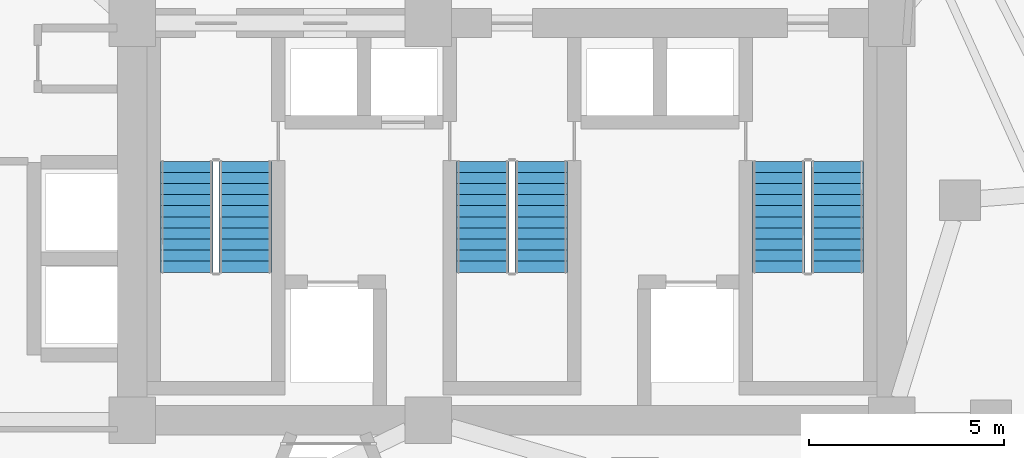
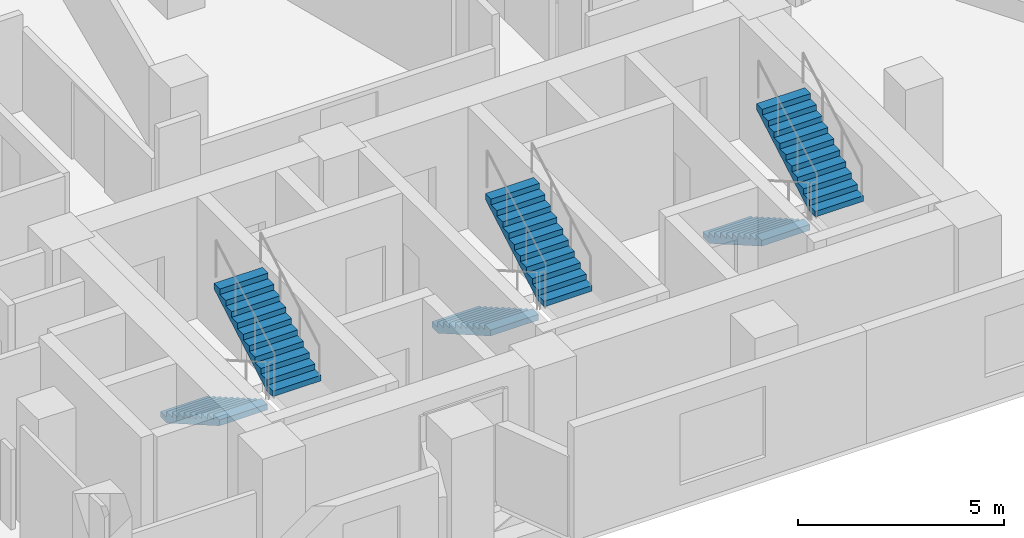
# One storey, part 9 of 11: 6 stair flights, 3 elements without a shape of their own.
"""IFC4 building model written with IfcOpenShell, lengths in metres."""

from ifc_helpers import new_model, si_unit, direction, frame, origin, place, context, subcontext, project, spatial, polyline, outline, extrude, material, type_object, element, aggregate, save


model = new_model("IFC4")

# Units and contexts
model_context = context("Model", 3, precision=1e-05, world=origin(), true_north=direction((0.0, 1.0)))
body_context = subcontext(model_context, "Body", "Model", "MODEL_VIEW")
ifc_project = project(units=[si_unit("LENGTHUNIT", "METRE"), si_unit("AREAUNIT", "SQUARE_METRE"), si_unit("VOLUMEUNIT", "CUBIC_METRE"), si_unit("PLANEANGLEUNIT", "RADIAN"), si_unit("MASSUNIT", "GRAM", prefix="KILO")], contexts=[model_context])

# Site, building, storey
site_placement = place(None, origin())
site = spatial("IfcSite", under=ifc_project, at=site_placement, CompositionType="ELEMENT")
building_placement = place(site_placement, origin())
building = spatial("IfcBuilding", under=site, at=building_placement, Name="Almagre Mirador Tower", CompositionType="ELEMENT")
storey_placement = place(building_placement, frame((0.0, 0.0, 124.800048828125)))
storey = spatial("IfcBuildingStorey", under=building, at=storey_placement, Name="L31", CompositionType="ELEMENT", Elevation=124.800048828125)

# Stair, stair flights
ifc_material_1 = material(Name="Concrete C45/55", Category="concrete")
stair_type = type_object("IfcStairType", Name="STR-DL-3600", PredefinedType="HALF_TURN_STAIR", material=ifc_material_1)
stair_1_placement = place(storey_placement, origin())
stair_1 = element("IfcStair", 1, at=stair_1_placement, inside=storey, type_object=stair_type, Name="L31 Protected exit stair ST-1", PredefinedType="HALF_TURN_STAIR")
ifc_material_2 = material(Name="Concrete C45/55", Category="concrete")
stair_flight_type = type_object("IfcStairFlightType", Name="FLT-DL-3600", PredefinedType="STRAIGHT", material=ifc_material_2)
stair_flight_1_placement = place(storey_placement, frame((28.949951171875, 11.199951171875, 0.0), z_axis=(0.0, 0.0, 1.0), x_axis=(0.0, -1.0, 0.0)))
stair_flight_1 = element("IfcStairFlight", 2, at=stair_flight_1_placement, type_object=stair_flight_type, Name="ST-1 flight 1", NumberOfRisers=11, NumberOfTreads=10, PredefinedType="STRAIGHT", RiserHeight=0.163636364, TreadLength=0.285, context=body_context, shape_type="SweptSolid", body=[
    extrude(outline(polyline([(0.0, 0.0), (0.0, 0.16357421875), (0.284912109375, 0.16357421875), (0.284912109375, 0.327392578125), (0.570068359375, 0.327392578125), (0.570068359375, 0.490966796875), (0.85498046875, 0.490966796875), (0.85498046875, 0.654541015625), (1.139892578125, 0.654541015625), (1.139892578125, 0.818115234375), (1.425048828125, 0.818115234375), (1.425048828125, 0.98193359375), (1.7099609375, 0.98193359375), (1.7099609375, 1.1455078125), (1.9951171875, 1.1455078125), (1.9951171875, 1.30908203125), (2.280029296875, 1.30908203125), (2.280029296875, 1.47265625), (2.56494140625, 1.47265625), (2.56494140625, 1.636474609375), (2.85009765625, 1.636474609375), (2.85009765625, 1.800048828125), (2.85009765625, 1.463623046875), (0.301025390625, 0.0), (0.0, 0.0)])), frame((0.0, 0.675048828125, 0.0), z_axis=(0.0, -1.0, 0.0), x_axis=(1.0, 0.0, 0.0)), (0.0, 0.0, 1.0), 1.35009765625),
])
stair_flight_2_placement = place(storey_placement, frame((30.449951171875, 8.35009765625, 1.800048828125), z_axis=(0.0, 0.0, 1.0), x_axis=(0.0, 1.0, 0.0)))
stair_flight_2 = element("IfcStairFlight", 3, at=stair_flight_2_placement, type_object=stair_flight_type, Name="ST-1 flight 2", NumberOfRisers=11, NumberOfTreads=10, PredefinedType="STRAIGHT", RiserHeight=0.163636364, TreadLength=0.285, context=body_context, shape_type="SweptSolid", body=[
    extrude(outline(polyline([(0.0, 0.0), (0.0, 0.16357421875), (0.284912109375, 0.16357421875), (0.284912109375, 0.327392578125), (0.570068359375, 0.327392578125), (0.570068359375, 0.490966796875), (0.85498046875, 0.490966796875), (0.85498046875, 0.654541015625), (1.139892578125, 0.654541015625), (1.139892578125, 0.818115234375), (1.425048828125, 0.818115234375), (1.425048828125, 0.98193359375), (1.7099609375, 0.98193359375), (1.7099609375, 1.1455078125), (1.9951171875, 1.1455078125), (1.9951171875, 1.30908203125), (2.280029296875, 1.30908203125), (2.280029296875, 1.47265625), (2.56494140625, 1.47265625), (2.56494140625, 1.636474609375), (2.85009765625, 1.636474609375), (2.85009765625, 1.800048828125), (2.85009765625, 1.463623046875), (0.301025390625, 0.0), (0.0, 0.0)])), frame((0.0, 0.675048828125, 0.0), z_axis=(0.0, -1.0, 0.0), x_axis=(1.0, 0.0, 0.0)), (0.0, 0.0, 1.0), 1.35009765625),
])
aggregate(stair_1, [stair_flight_1, stair_flight_2])

stair_2_placement = place(storey_placement, origin())
stair_2 = element("IfcStair", 4, at=stair_2_placement, inside=storey, type_object=stair_type, Name="L31 Protected exit stair ST-2", PredefinedType="HALF_TURN_STAIR")
stair_flight_3_placement = place(storey_placement, frame((36.550048828125, 11.199951171875, 0.0), z_axis=(0.0, 0.0, 1.0), x_axis=(0.0, -1.0, 0.0)))
stair_flight_3 = element("IfcStairFlight", 5, at=stair_flight_3_placement, type_object=stair_flight_type, Name="ST-2 flight 1", NumberOfRisers=11, NumberOfTreads=10, PredefinedType="STRAIGHT", RiserHeight=0.163636364, TreadLength=0.285, context=body_context, shape_type="SweptSolid", body=[
    extrude(outline(polyline([(0.0, 0.0), (0.0, 0.16357421875), (0.284912109375, 0.16357421875), (0.284912109375, 0.327392578125), (0.570068359375, 0.327392578125), (0.570068359375, 0.490966796875), (0.85498046875, 0.490966796875), (0.85498046875, 0.654541015625), (1.139892578125, 0.654541015625), (1.139892578125, 0.818115234375), (1.425048828125, 0.818115234375), (1.425048828125, 0.98193359375), (1.7099609375, 0.98193359375), (1.7099609375, 1.1455078125), (1.9951171875, 1.1455078125), (1.9951171875, 1.30908203125), (2.280029296875, 1.30908203125), (2.280029296875, 1.47265625), (2.56494140625, 1.47265625), (2.56494140625, 1.636474609375), (2.85009765625, 1.636474609375), (2.85009765625, 1.800048828125), (2.85009765625, 1.463623046875), (0.301025390625, 0.0), (0.0, 0.0)])), frame((0.0, 0.675048828125, 0.0), z_axis=(0.0, -1.0, 0.0), x_axis=(1.0, 0.0, 0.0)), (0.0, 0.0, 1.0), 1.35009765625),
])
stair_flight_4_placement = place(storey_placement, frame((38.050048828125, 8.35009765625, 1.800048828125), z_axis=(0.0, 0.0, 1.0), x_axis=(0.0, 1.0, 0.0)))
stair_flight_4 = element("IfcStairFlight", 6, at=stair_flight_4_placement, type_object=stair_flight_type, Name="ST-2 flight 2", NumberOfRisers=11, NumberOfTreads=10, PredefinedType="STRAIGHT", RiserHeight=0.163636364, TreadLength=0.285, context=body_context, shape_type="SweptSolid", body=[
    extrude(outline(polyline([(0.0, 0.0), (0.0, 0.16357421875), (0.284912109375, 0.16357421875), (0.284912109375, 0.327392578125), (0.570068359375, 0.327392578125), (0.570068359375, 0.490966796875), (0.85498046875, 0.490966796875), (0.85498046875, 0.654541015625), (1.139892578125, 0.654541015625), (1.139892578125, 0.818115234375), (1.425048828125, 0.818115234375), (1.425048828125, 0.98193359375), (1.7099609375, 0.98193359375), (1.7099609375, 1.1455078125), (1.9951171875, 1.1455078125), (1.9951171875, 1.30908203125), (2.280029296875, 1.30908203125), (2.280029296875, 1.47265625), (2.56494140625, 1.47265625), (2.56494140625, 1.636474609375), (2.85009765625, 1.636474609375), (2.85009765625, 1.800048828125), (2.85009765625, 1.463623046875), (0.301025390625, 0.0), (0.0, 0.0)])), frame((0.0, 0.675048828125, 0.0), z_axis=(0.0, -1.0, 0.0), x_axis=(1.0, 0.0, 0.0)), (0.0, 0.0, 1.0), 1.35009765625),
])
aggregate(stair_2, [stair_flight_3, stair_flight_4])

stair_3_placement = place(storey_placement, origin())
stair_3 = element("IfcStair", 7, at=stair_3_placement, inside=storey, type_object=stair_type, Name="L31 Protected exit stair ST-3", PredefinedType="HALF_TURN_STAIR")
stair_flight_5_placement = place(storey_placement, frame((44.14990234375, 11.199951171875, 0.0), z_axis=(0.0, 0.0, 1.0), x_axis=(0.0, -1.0, 0.0)))
stair_flight_5 = element("IfcStairFlight", 8, at=stair_flight_5_placement, type_object=stair_flight_type, Name="ST-3 flight 1", NumberOfRisers=11, NumberOfTreads=10, PredefinedType="STRAIGHT", RiserHeight=0.163636364, TreadLength=0.285, context=body_context, shape_type="SweptSolid", body=[
    extrude(outline(polyline([(0.0, 0.0), (0.0, 0.16357421875), (0.284912109375, 0.16357421875), (0.284912109375, 0.327392578125), (0.570068359375, 0.327392578125), (0.570068359375, 0.490966796875), (0.85498046875, 0.490966796875), (0.85498046875, 0.654541015625), (1.139892578125, 0.654541015625), (1.139892578125, 0.818115234375), (1.425048828125, 0.818115234375), (1.425048828125, 0.98193359375), (1.7099609375, 0.98193359375), (1.7099609375, 1.1455078125), (1.9951171875, 1.1455078125), (1.9951171875, 1.30908203125), (2.280029296875, 1.30908203125), (2.280029296875, 1.47265625), (2.56494140625, 1.47265625), (2.56494140625, 1.636474609375), (2.85009765625, 1.636474609375), (2.85009765625, 1.800048828125), (2.85009765625, 1.463623046875), (0.301025390625, 0.0), (0.0, 0.0)])), frame((0.0, 0.675048828125, 0.0), z_axis=(0.0, -1.0, 0.0), x_axis=(1.0, 0.0, 0.0)), (0.0, 0.0, 1.0), 1.35009765625),
])
stair_flight_6_placement = place(storey_placement, frame((45.64990234375, 8.35009765625, 1.800048828125), z_axis=(0.0, 0.0, 1.0), x_axis=(0.0, 1.0, 0.0)))
stair_flight_6 = element("IfcStairFlight", 9, at=stair_flight_6_placement, type_object=stair_flight_type, Name="ST-3 flight 2", NumberOfRisers=11, NumberOfTreads=10, PredefinedType="STRAIGHT", RiserHeight=0.163636364, TreadLength=0.285, context=body_context, shape_type="SweptSolid", body=[
    extrude(outline(polyline([(0.0, 0.0), (0.0, 0.16357421875), (0.284912109375, 0.16357421875), (0.284912109375, 0.327392578125), (0.570068359375, 0.327392578125), (0.570068359375, 0.490966796875), (0.85498046875, 0.490966796875), (0.85498046875, 0.654541015625), (1.139892578125, 0.654541015625), (1.139892578125, 0.818115234375), (1.425048828125, 0.818115234375), (1.425048828125, 0.98193359375), (1.7099609375, 0.98193359375), (1.7099609375, 1.1455078125), (1.9951171875, 1.1455078125), (1.9951171875, 1.30908203125), (2.280029296875, 1.30908203125), (2.280029296875, 1.47265625), (2.56494140625, 1.47265625), (2.56494140625, 1.636474609375), (2.85009765625, 1.636474609375), (2.85009765625, 1.800048828125), (2.85009765625, 1.463623046875), (0.301025390625, 0.0), (0.0, 0.0)])), frame((0.0, 0.675048828125, 0.0), z_axis=(0.0, -1.0, 0.0), x_axis=(1.0, 0.0, 0.0)), (0.0, 0.0, 1.0), 1.35009765625),
])
aggregate(stair_3, [stair_flight_5, stair_flight_6])

save(model, "model.ifc")
